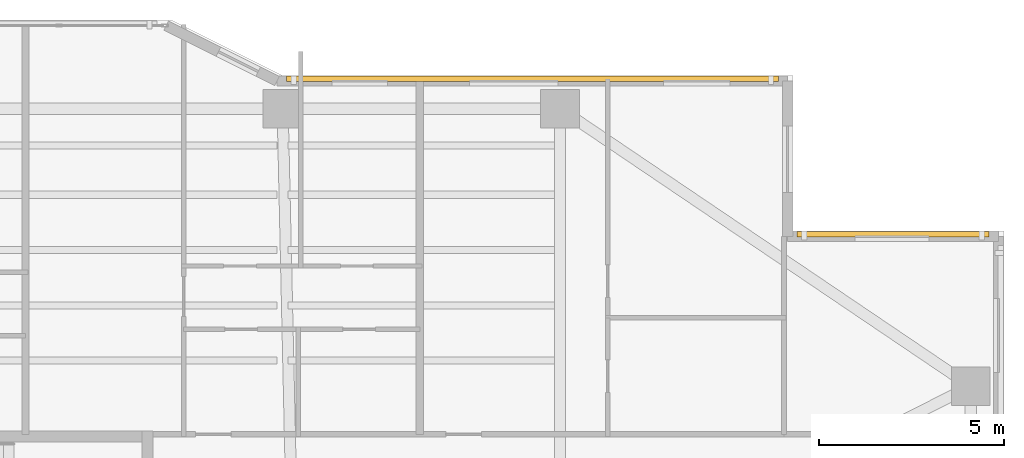
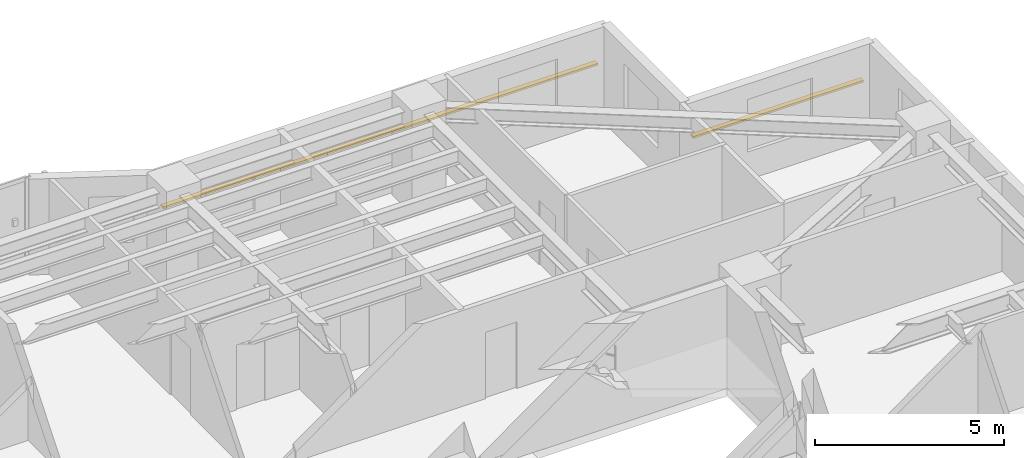
# One storey, part 19 of 19: 2 shading devices.
"""IFC4 building model written with IfcOpenShell, lengths in metres."""

from ifc_helpers import new_model, si_unit, direction, frame, origin, origin_2d, place, context, subcontext, project, spatial, rectangle, extrude, material, material_profile, profile_set, type_object, element, save


model = new_model("IFC4")

# Units and contexts
model_context = context("Model", 3, precision=1e-05, world=origin(), true_north=direction((0.0, 1.0)))
body_context = subcontext(model_context, "Body", "Model", "MODEL_VIEW")
ifc_project = project(units=[si_unit("LENGTHUNIT", "METRE"), si_unit("AREAUNIT", "SQUARE_METRE"), si_unit("VOLUMEUNIT", "CUBIC_METRE"), si_unit("PLANEANGLEUNIT", "RADIAN"), si_unit("MASSUNIT", "GRAM", prefix="KILO")], contexts=[model_context])

# Site, building, storey
site_placement = place(None, origin())
site = spatial("IfcSite", under=ifc_project, at=site_placement, CompositionType="ELEMENT")
building_placement = place(site_placement, origin())
building = spatial("IfcBuilding", under=site, at=building_placement, Name="Tarnavaz Court Tower", CompositionType="ELEMENT")
storey_placement = place(building_placement, frame((0.0, 0.0, 111.800048828125)))
storey = spatial("IfcBuildingStorey", under=building, at=storey_placement, Name="L30", CompositionType="ELEMENT", Elevation=111.800048828125)

# Shading devices
ifc_material = material(Name="Kiln-Fired Khorasan Terracotta Ceramic", Category="masonry")
ifc_material_profile = material_profile(ifc_material, rectangle(XDim=0.14990234375, YDim=0.06494140625, at=origin_2d()), Name="TC BAGUETTE 150X65")
ifc_profile_set = profile_set([ifc_material_profile], Name="Kiln-Fired Khorasan Terracotta Ceramic")
shading_device_type = type_object("IfcShadingDeviceType", Name="SD-BAG-150", PredefinedType="USERDEFINED", material=ifc_profile_set)
shading_device_1_placement = place(storey_placement, frame((7.60009765625, 22.110107421875, 1.849853515625), z_axis=(1.0, 0.0, 0.0), x_axis=(0.0, 1.0, 0.0)))
element("IfcShadingDevice", 1, at=shading_device_1_placement, inside=storey, type_object=shading_device_type, Name="L30 Terracotta Baguette Screen FBG09", ObjectType="BAGUETTE", PredefinedType="USERDEFINED", context=body_context, shape_type="SweptSolid", body=[
    extrude(rectangle(XDim=0.14990234375, YDim=0.06494140625, at=origin_2d()), origin(), (0.0, 0.0, 1.0), 13.2998046875),
])
shading_device_2_placement = place(storey_placement, frame((21.39990234375, 17.909912109375, 1.849853515625), z_axis=(1.0, 0.0, 0.0), x_axis=(0.0, 1.0, 0.0)))
element("IfcShadingDevice", 2, at=shading_device_2_placement, inside=storey, type_object=shading_device_type, Name="L30 Terracotta Baguette Screen FBG11", ObjectType="BAGUETTE", PredefinedType="USERDEFINED", context=body_context, shape_type="SweptSolid", body=[
    extrude(rectangle(XDim=0.14990234375, YDim=0.06494140625, at=origin_2d()), origin(), (0.0, 0.0, 1.0), 5.2001953125),
])

save(model, "model.ifc")
